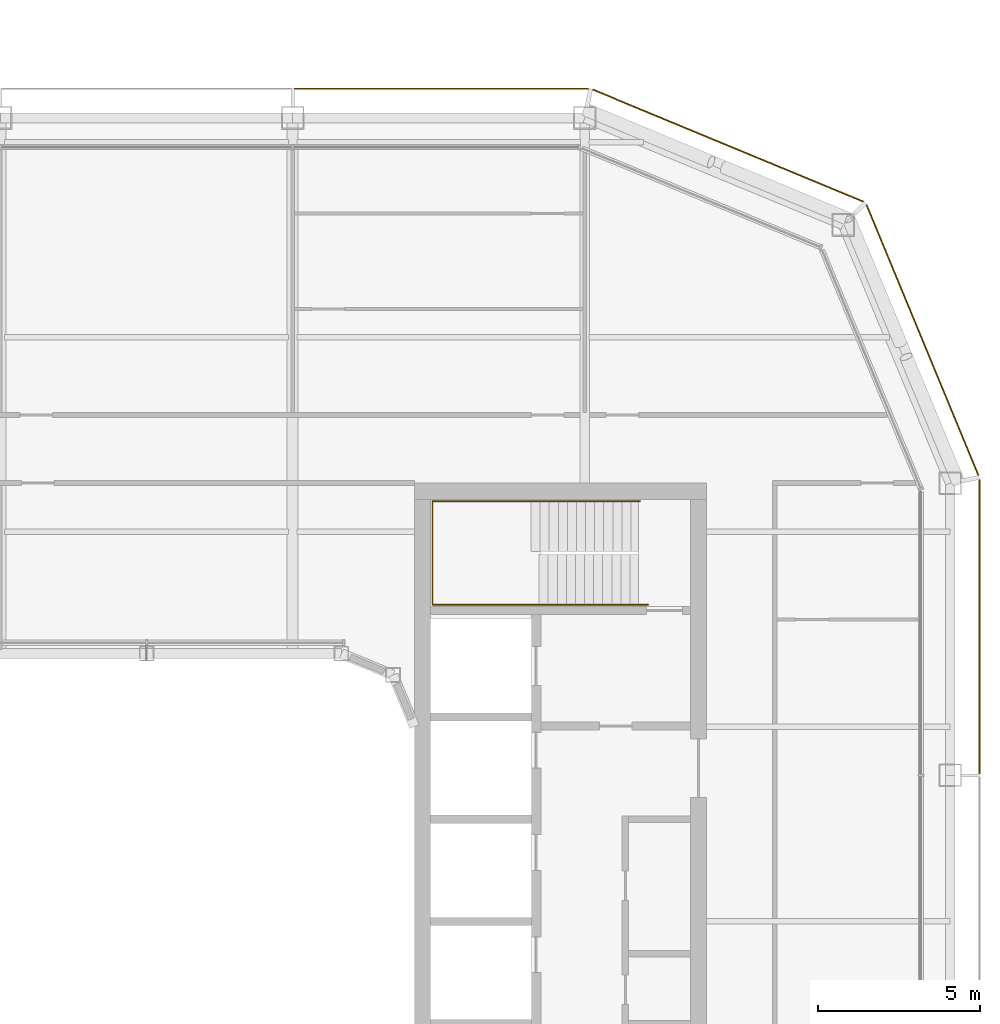
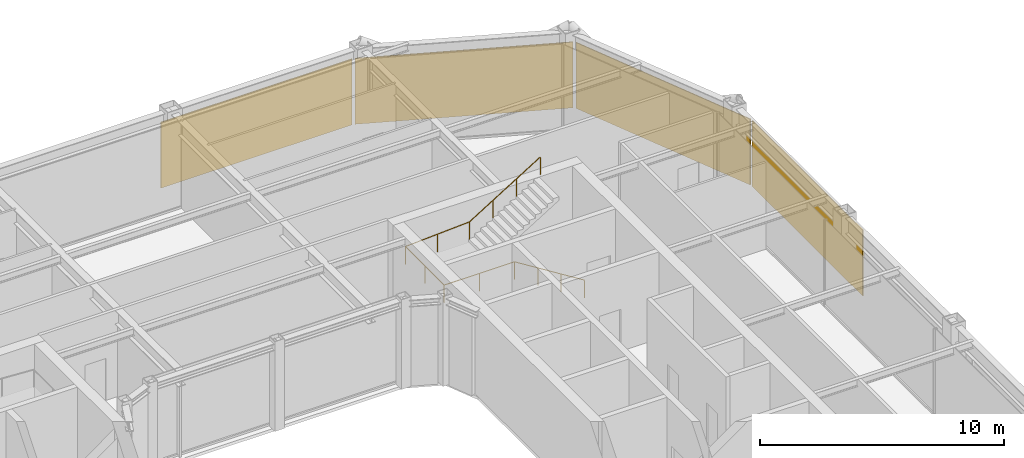
# One storey, part 21 of 22: 4 coverings, 1 railing.
"""IFC4 building model written with IfcOpenShell, lengths in metres."""

from ifc_helpers import new_model, si_unit, direction, frame, origin, origin_2d, place, context, subcontext, project, spatial, rectangle, circle, extrude, material, layer, layer_set, type_object, element, save


model = new_model("IFC4")

# Units and contexts
model_context = context("Model", 3, precision=1e-05, world=origin(), true_north=direction((0.0, 1.0)))
body_context = subcontext(model_context, "Body", "Model", "MODEL_VIEW")
ifc_project = project(units=[si_unit("LENGTHUNIT", "METRE"), si_unit("AREAUNIT", "SQUARE_METRE"), si_unit("VOLUMEUNIT", "CUBIC_METRE"), si_unit("PLANEANGLEUNIT", "RADIAN"), si_unit("MASSUNIT", "GRAM", prefix="KILO")], contexts=[model_context])

# Site, building, storey
site_placement = place(None, origin())
site = spatial("IfcSite", under=ifc_project, at=site_placement, CompositionType="ELEMENT")
building_placement = place(site_placement, origin())
building = spatial("IfcBuilding", under=site, at=building_placement, Name="Siwar Civic Tower", CompositionType="ELEMENT")
storey_placement = place(building_placement, frame((0.0, 0.0, 330.199951171875)))
storey = spatial("IfcBuildingStorey", under=building, at=storey_placement, Name="L71", CompositionType="ELEMENT", Elevation=330.199951171875)

# Railing
ifc_material_1 = material(Name="Stainless steel", Category="steel")
railing_type = type_object("IfcRailingType", Name="CORE-STAIR-HANDRAIL", PredefinedType="HANDRAIL", material=ifc_material_1)
railing_placement = place(storey_placement, frame((15.449951171875, 9.758056640625, 0.173095703125)))
element("IfcRailing", 1, at=railing_placement, inside=storey, type_object=railing_type, Name="Stair handrail ST3", PredefinedType="HANDRAIL", context=body_context, shape_type="SweptSolid", body=[
    extrude(circle(Radius=0.02001953125, at=origin_2d()), frame((0.0, 0.0, 0.8798828125), z_axis=(-0.847063342986, 0.0, 0.531491950051), x_axis=(0.0, -1.0, 0.0)), (0.0, 0.0, 1.0), 3.90771484375),
    extrude(circle(Radius=0.02001953125, at=origin_2d()), frame((-3.31005859375, 0.0, 2.956787109375), z_axis=(-1.0, 0.0, 0.0), x_axis=(0.0, -1.0, 0.0)), (0.0, 0.0, 1.0), 3.331787109375),
    extrude(circle(Radius=0.02001953125, at=origin_2d()), frame((-6.641845703125, 0.0, 2.956787109375), z_axis=(0.0, 1.0, 0.0), x_axis=(-1.0, 0.0, 0.0)), (0.0, 0.0, 1.0), 3.183837890625),
    extrude(circle(Radius=0.02001953125, at=origin_2d()), frame((-6.641845703125, 3.183837890625, 2.956787109375), z_axis=(0.99837434197, 0.0, 0.056997134106), x_axis=(0.0, 1.0, 0.0)), (0.0, 0.0, 1.0), 3.036865234375),
    extrude(circle(Radius=0.02001953125, at=origin_2d()), frame((-3.60986328125, 3.183837890625, 3.1298828125), z_axis=(0.850606129759, 0.0, 0.525803396734), x_axis=(0.0, 1.0, 0.0)), (0.0, 0.0, 1.0), 3.949951171875),
    extrude(circle(Radius=0.02001953125, at=origin_2d()), origin(), (0.0, 0.0, 1.0), 0.85986328125),
    extrude(circle(Radius=0.02001953125, at=origin_2d()), frame((-1.103271484375, 0.0, 0.6923828125)), (0.0, 0.0, 1.0), 0.85986328125),
    extrude(circle(Radius=0.02001953125, at=origin_2d()), frame((-2.206787109375, 0.0, 1.384521484375)), (0.0, 0.0, 1.0), 0.85986328125),
    extrude(circle(Radius=0.02001953125, at=origin_2d()), frame((-3.31005859375, 0.0, 2.076904296875)), (0.0, 0.0, 1.0), 0.85986328125),
    extrude(circle(Radius=0.02001953125, at=origin_2d()), frame((-4.97607421875, 0.0, 2.076904296875)), (0.0, 0.0, 1.0), 0.85986328125),
    extrude(circle(Radius=0.02001953125, at=origin_2d()), frame((-6.641845703125, 0.0, 2.076904296875)), (0.0, 0.0, 1.0), 0.85986328125),
    extrude(circle(Radius=0.02001953125, at=origin_2d()), frame((-6.641845703125, 1.591796875, 2.076904296875)), (0.0, 0.0, 1.0), 0.85986328125),
    extrude(circle(Radius=0.02001953125, at=origin_2d()), frame((-6.641845703125, 3.183837890625, 2.076904296875)), (0.0, 0.0, 1.0), 0.85986328125),
    extrude(circle(Radius=0.02001953125, at=origin_2d()), frame((-5.1259765625, 3.183837890625, 2.16357421875)), (0.0, 0.0, 1.0), 0.85986328125),
    extrude(circle(Radius=0.02001953125, at=origin_2d()), frame((-3.60986328125, 3.183837890625, 2.25)), (0.0, 0.0, 1.0), 0.85986328125),
    extrude(circle(Radius=0.02001953125, at=origin_2d()), frame((-2.489990234375, 3.183837890625, 2.9423828125)), (0.0, 0.0, 1.0), 0.85986328125),
    extrude(circle(Radius=0.02001953125, at=origin_2d()), frame((-1.369873046875, 3.183837890625, 3.634521484375)), (0.0, 0.0, 1.0), 0.85986328125),
    extrude(circle(Radius=0.02001953125, at=origin_2d()), frame((-0.25, 3.183837890625, 4.326904296875)), (0.0, 0.0, 1.0), 0.85986328125),
])

# Coverings
ifc_material_2 = material(Name="Perforated aluminium cassette, pale metal", Category="aluminium")
ifc_layer = layer(ifc_material_2, 0.0400390625)
ifc_layer_set = layer_set([ifc_layer], Name="Perforated aluminium cassette, pale metal")
covering_type = type_object("IfcCoveringType", Name="ENV-OUTER SKIN OS-1", PredefinedType="CLADDING", material=ifc_layer_set)
covering_1_placement = place(storey_placement, frame((25.64990234375, 9.07958984375, -0.14990234375), z_axis=(0.0, 0.0, 1.0), x_axis=(0.0, 1.0, 0.0)))
element("IfcCovering", 2, at=covering_1_placement, inside=storey, type_object=covering_type, Name="OUTER SKIN OS-1 E 3", PredefinedType="CLADDING", context=body_context, shape_type="SweptSolid", body=[
    extrude(rectangle(XDim=9.05908203125, YDim=0.0400390625, at=origin_2d()), origin(), (0.0, 0.0, 1.0), 3.300048828125),
])
for number, where, z_axis, x_axis, name in (
    (3, (23.89697265625, 17.911376953125, -0.14990234375), (0.0, 0.0, 1.0), (-0.382683432365, 0.923879532511, 0.0), "OUTER SKIN OS-1 NE1 1"),
    (4, (17.911376953125, 23.89697265625, -0.14990234375), (0.0, 0.0, 1.0), (-0.923879532511, 0.382683432365, 0.0), "OUTER SKIN OS-1 NE2 1"),
):
    element("IfcCovering", number, at=place(storey_placement, frame(where, z_axis=z_axis, x_axis=x_axis)), inside=storey, type_object=covering_type, Name=name, PredefinedType="CLADDING", context=body_context, shape_type="SweptSolid", body=[
        extrude(rectangle(XDim=9.022216796875, YDim=0.0400390625, at=origin_2d()), origin(), (0.0, 0.0, 1.0), 3.300048828125),
    ])
covering_2_placement = place(storey_placement, frame((9.07958984375, 25.64990234375, -0.14990234375), z_axis=(0.0, 0.0, 1.0), x_axis=(-1.0, 0.0, 0.0)))
element("IfcCovering", 5, at=covering_2_placement, inside=storey, type_object=covering_type, Name="OUTER SKIN OS-1 N 1", PredefinedType="CLADDING", context=body_context, shape_type="SweptSolid", body=[
    extrude(rectangle(XDim=9.05908203125, YDim=0.0400390625, at=origin_2d()), origin(), (0.0, 0.0, 1.0), 3.300048828125),
])

save(model, "model.ifc")
